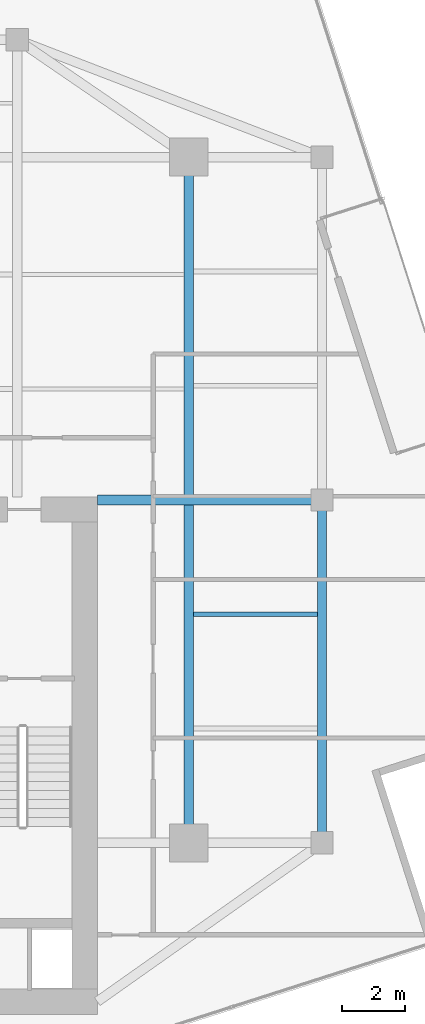
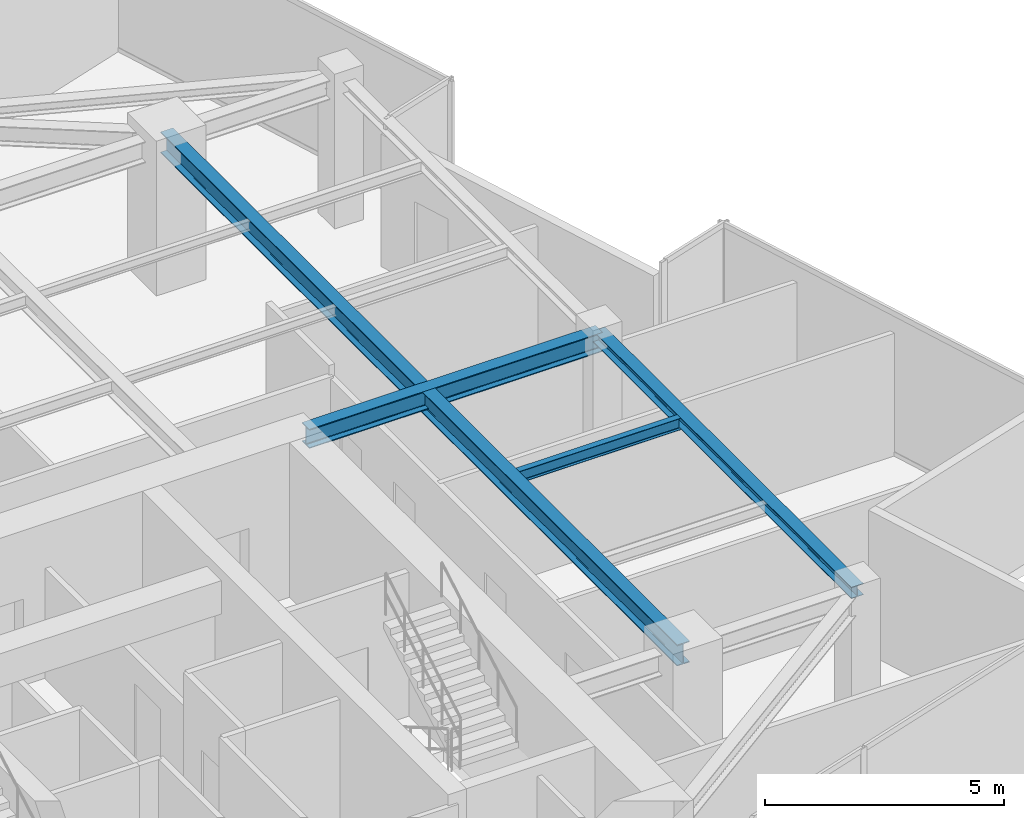
# One storey, part 10 of 21: 4 beams.
"""IFC4 building model written with IfcOpenShell, lengths in metres."""

from ifc_helpers import new_model, si_unit, direction, frame, origin, origin_2d, place, context, subcontext, project, spatial, i_section, extrude, source, transform, mapped, material, material_profile, profile_set, type_object, type_shapes, element, save


model = new_model("IFC4")

# Units and contexts
model_context = context("Model", 3, precision=1e-05, world=origin(), true_north=direction((0.0, 1.0)))
body_context = subcontext(model_context, "Body", "Model", "MODEL_VIEW")
ifc_project = project(units=[si_unit("LENGTHUNIT", "METRE"), si_unit("AREAUNIT", "SQUARE_METRE"), si_unit("VOLUMEUNIT", "CUBIC_METRE"), si_unit("PLANEANGLEUNIT", "RADIAN"), si_unit("MASSUNIT", "GRAM", prefix="KILO")], contexts=[model_context])

# Site, building, storey
site_placement = place(None, origin())
site = spatial("IfcSite", under=ifc_project, at=site_placement, CompositionType="ELEMENT")
building_placement = place(site_placement, origin())
building = spatial("IfcBuilding", under=site, at=building_placement, Name="Krantzveldt Concourse Tower", CompositionType="ELEMENT")
storey_placement = place(building_placement, frame((0.0, 0.0, 343.5)))
storey = spatial("IfcBuildingStorey", under=building, at=storey_placement, Name="L84", CompositionType="ELEMENT", Elevation=343.5)

# Beams
ifc_material = material(Name="Steel S355JR", Category="steel")
ifc_material_profile_1 = material_profile(ifc_material, i_section(OverallWidth=0.300048828125, OverallDepth=0.489990234375, WebThickness=0.011962890625, FlangeThickness=0.02294921875, FilletRadius=0.027099609375, at=origin_2d()), Name="Steel S355JR", Category="steel")
ifc_profile_set_1 = profile_set([ifc_material_profile_1], Name="Steel S355JR - HEA 500")
beam_type_1 = type_object("IfcBeamType", Name="BM-B-HEA500", PredefinedType="BEAM", material=ifc_profile_set_1)
shared_shape_1 = source(origin(), body_context, "Body", "SweptSolid", [
    extrude(i_section(OverallWidth=0.300048828125, OverallDepth=0.489990234375, WebThickness=0.011962890625, FlangeThickness=0.02294921875, FilletRadius=0.027099609375, at=origin_2d()), origin(), (0.0, 0.0, 1.0), 7.080078125),
])
type_shapes(beam_type_1, [shared_shape_1])
beam_1_placement = place(storey_placement, frame((43.919921875, 26.699951171875, 3.425048828125), z_axis=(1.0, 0.0, 0.0), x_axis=(0.0, 1.0, 0.0)))
element("IfcBeam", 1, at=beam_1_placement, inside=storey, type_object=beam_type_1, Name="L84 Tower Girder BG-CE2", PredefinedType="BEAM", context=body_context, shape_type="MappedRepresentation", body=[
    mapped(shared_shape_1, transform((0.0, 0.0, 0.0), x_axis=(1.0, 0.0, 0.0), y_axis=(0.0, 1.0, 0.0), z_axis=(0.0, 0.0, 1.0), scale=1.0)),
])
ifc_material_profile_2 = material_profile(ifc_material, i_section(OverallWidth=0.300048828125, OverallDepth=0.5400390625, WebThickness=0.012451171875, FlangeThickness=0.02392578125, FilletRadius=0.027099609375, at=origin_2d()), Name="Steel S355JR", Category="steel")
ifc_profile_set_2 = profile_set([ifc_material_profile_2], Name="Steel S355JR - HEA 550")
beam_type_2 = type_object("IfcBeamType", Name="BM-B-HEA550", PredefinedType="BEAM", material=ifc_profile_set_2)
shared_shape_2 = source(origin(), body_context, "Body", "SweptSolid", [
    extrude(i_section(OverallWidth=0.300048828125, OverallDepth=0.5400390625, WebThickness=0.012451171875, FlangeThickness=0.02392578125, FilletRadius=0.027099609375, at=origin_2d()), origin(), (0.0, 0.0, 1.0), 21.60009765625),
])
type_shapes(beam_type_2, [shared_shape_2])
beam_2_placement = place(storey_placement, frame((46.800048828125, 15.89990234375, 3.39990234375), z_axis=(0.0, 1.0, 0.0), x_axis=(-1.0, 0.0, 0.0)))
element("IfcBeam", 2, at=beam_2_placement, inside=storey, type_object=beam_type_2, Name="L84 Tower Girder BG-ME", PredefinedType="BEAM", context=body_context, shape_type="MappedRepresentation", body=[
    mapped(shared_shape_2, transform((0.0, 0.0, 0.0), x_axis=(1.0, 0.0, 0.0), y_axis=(0.0, 1.0, 0.0), z_axis=(0.0, 0.0, 1.0), scale=1.0)),
])
ifc_material_profile_3 = material_profile(ifc_material, i_section(OverallWidth=0.2900390625, OverallDepth=0.2900390625, WebThickness=0.008544921875, FlangeThickness=0.013916015625, FilletRadius=0.027099609375, at=origin_2d()), Name="Steel S355JR", Category="steel")
ifc_profile_set_3 = profile_set([ifc_material_profile_3], Name="Steel S355JR - HEA 300")
beam_type_3 = type_object("IfcBeamType", Name="BM-SP-HEA300", PredefinedType="SPANDREL", material=ifc_profile_set_3)
shared_shape_3 = source(origin(), body_context, "Body", "SweptSolid", [
    extrude(i_section(OverallWidth=0.2900390625, OverallDepth=0.2900390625, WebThickness=0.008544921875, FlangeThickness=0.013916015625, FilletRadius=0.027099609375, at=origin_2d()), origin(), (0.0, 0.0, 1.0), 10.800048828125),
])
type_shapes(beam_type_3, [shared_shape_3])
beam_3_placement = place(storey_placement, frame((51.0, 26.699951171875, 3.52490234375), z_axis=(0.0, -1.0, 0.0), x_axis=(1.0, 0.0, 0.0)))
element("IfcBeam", 3, at=beam_3_placement, inside=storey, type_object=beam_type_3, Name="L84 Tower Girder SP-R07", PredefinedType="SPANDREL", context=body_context, shape_type="MappedRepresentation", body=[
    mapped(shared_shape_3, transform((0.0, 0.0, 0.0), x_axis=(1.0, 0.0, 0.0), y_axis=(0.0, 1.0, 0.0), z_axis=(0.0, 0.0, 1.0), scale=1.0)),
])
ifc_material_profile_4 = material_profile(ifc_material, i_section(OverallWidth=0.14990234375, OverallDepth=0.300048828125, WebThickness=0.007080078125, FlangeThickness=0.0107421875, FilletRadius=0.014892578125, at=origin_2d()), Name="Steel S355JR", Category="steel")
ifc_profile_set_4 = profile_set([ifc_material_profile_4], Name="Steel S355JR - IPE 300")
beam_type_4 = type_object("IfcBeamType", Name="BM-J-IPE300", PredefinedType="JOIST", material=ifc_profile_set_4)
shared_shape_4 = source(origin(), body_context, "Body", "SweptSolid", [
    extrude(i_section(OverallWidth=0.14990234375, OverallDepth=0.300048828125, WebThickness=0.007080078125, FlangeThickness=0.0107421875, FilletRadius=0.014892578125, at=origin_2d()), origin(), (0.0, 0.0, 1.0), 3.900146484375),
])
type_shapes(beam_type_4, [shared_shape_4])
beam_4_placement = place(storey_placement, frame((46.949951171875, 23.10009765625, 3.52001953125), z_axis=(1.0, 0.0, 0.0), x_axis=(0.0, 1.0, 0.0)))
element("IfcBeam", 4, at=beam_4_placement, inside=storey, type_object=beam_type_4, Name="L84 Secondary Floor Joist JE-2", PredefinedType="JOIST", context=body_context, shape_type="MappedRepresentation", body=[
    mapped(shared_shape_4, transform((0.0, 0.0, 0.0), x_axis=(1.0, 0.0, 0.0), y_axis=(0.0, 1.0, 0.0), z_axis=(0.0, 0.0, 1.0), scale=1.0)),
])

save(model, "model.ifc")
